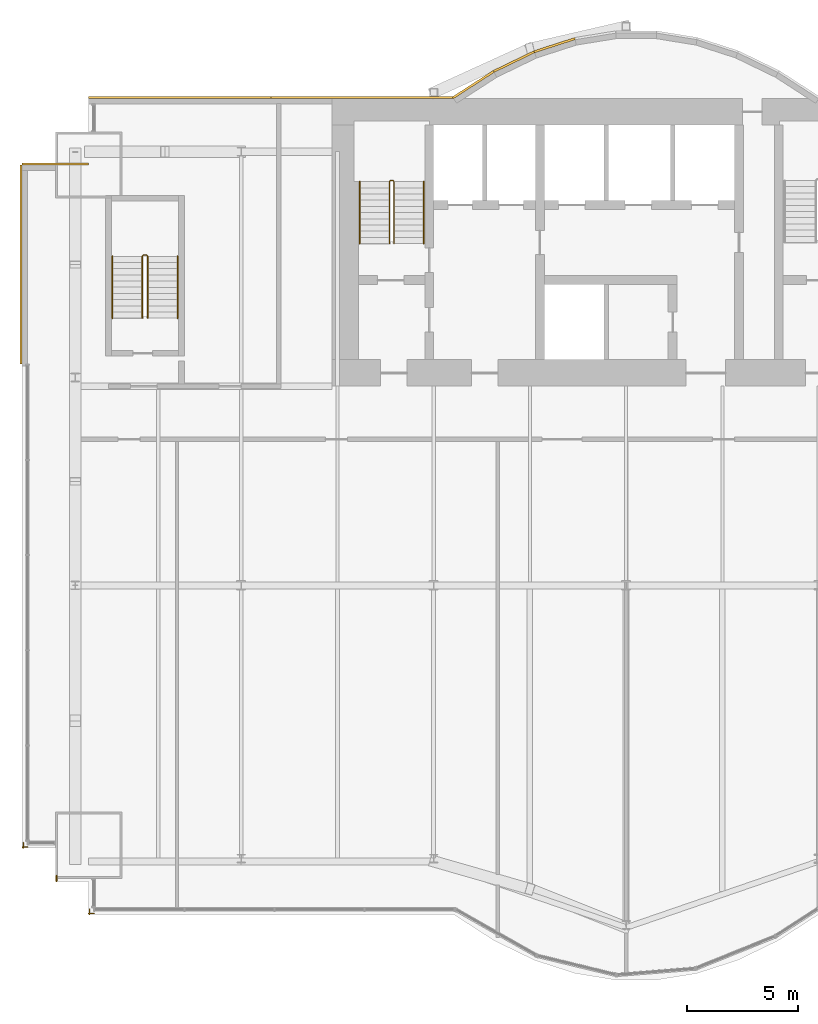
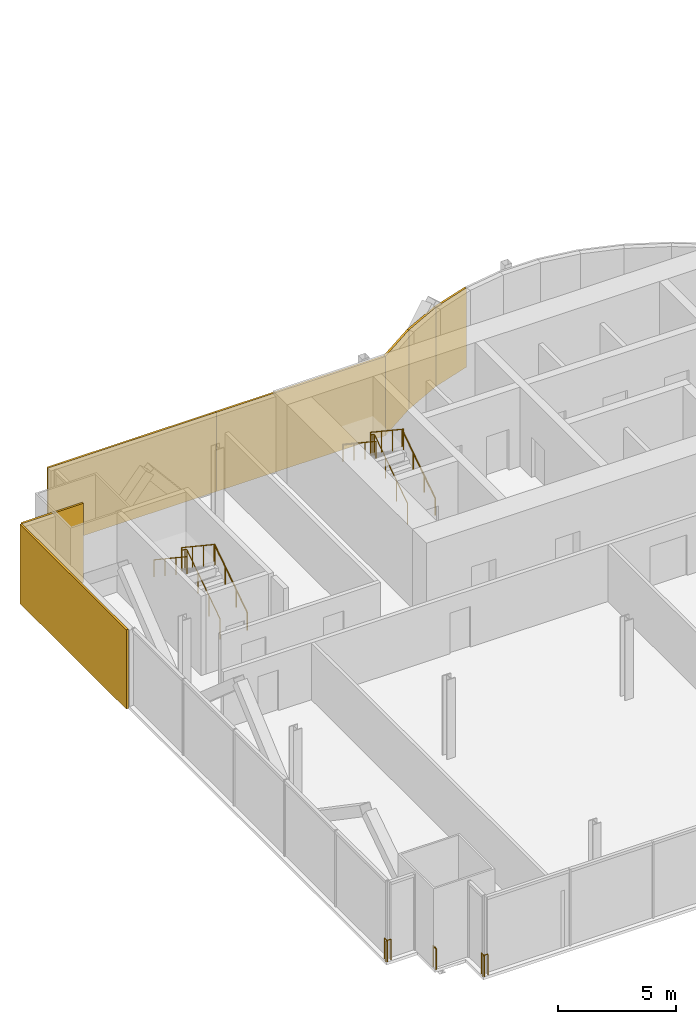
# One storey, part 19 of 21: 9 railings, 7 coverings.
"""IFC4 building model written with IfcOpenShell, lengths in metres."""

import ifcopenshell
import ifcopenshell.guid

model = None  # the IFC model being written
_history = None  # IfcOwnerHistory: only IFC2X3 demands one
_inside = {}  # id of a spatial element -> (the spatial element, [elements in it])
_under = {}  # id of a project, library or spatial element -> (it, [spatial elements below it])
_declared = {}  # id of a project -> (the project, [libraries it declares])
_typed = {}  # id of a type object -> (the type object, [elements of that type])
_made_of = {}  # id of a material, layer set ... -> (it, [elements and type objects made of it])


def new_model(schema):
    """Start an empty IFC model of exactly this schema.

    Asked for "IFC4X3", IfcOpenShell would pick the latest addendum, in which some entities
    have other attributes; the version numbers below select the first issue.
    IFC2X3 requires an IfcOwnerHistory on every rooted entity: one is made here for all.
    """
    global model, _history
    if schema == "IFC4X3":
        model = ifcopenshell.file(schema_version=(4, 3, 0, 0))
    else:
        model = ifcopenshell.file(schema=schema)
    _inside.clear()
    _under.clear()
    _declared.clear()
    _typed.clear()
    _made_of.clear()
    _history = None
    if model.schema == "IFC2X3":
        org = make("IfcOrganization", Name="unknown")
        user = make(
            "IfcPersonAndOrganization",
            ThePerson=make("IfcPerson", FamilyName="unknown"),
            TheOrganization=org,
        )
        app = make(
            "IfcApplication",
            ApplicationDeveloper=org,
            Version="unknown",
            ApplicationFullName="unknown",
            ApplicationIdentifier="unknown",
        )
        _history = make(
            "IfcOwnerHistory",
            OwningUser=user,
            OwningApplication=app,
            ChangeAction="ADDED",
            CreationDate=0,
        )
    return model


def make(cls, **values):
    """One entity of the class cls with the attributes given. An attribute that is None is left unset."""
    return model.create_entity(
        cls, **{name: value for name, value in values.items() if value is not None}
    )


def rooted(cls, **values):
    """An entity with a GlobalId (a new one), such as an element, a storey or a relation."""
    return make(cls, GlobalId=ifcopenshell.guid.new(), OwnerHistory=_history, **values)


def si_unit(unit_type, name, prefix=None):
    """IfcSIUnit, for example si_unit("LENGTHUNIT", "METRE", prefix="MILLI")."""
    return make("IfcSIUnit", UnitType=unit_type, Prefix=prefix, Name=name)


def assignment(units):
    """IfcUnitAssignment: the units of a project."""
    return None if units is None else make("IfcUnitAssignment", Units=units)


def point(xyz):
    """IfcCartesianPoint."""
    return None if xyz is None else make("IfcCartesianPoint", Coordinates=xyz)


def direction(xyz):
    """IfcDirection."""
    return None if xyz is None else make("IfcDirection", DirectionRatios=xyz)


def frame(location, z_axis=None, x_axis=None):
    """IfcAxis2Placement3D, a coordinate frame: its origin and axes. An axis left out is left unset."""
    return make(
        "IfcAxis2Placement3D",
        Location=point(location),
        Axis=direction(z_axis),
        RefDirection=direction(x_axis),
    )


def frame_2d(location, x_axis=None):
    """IfcAxis2Placement2D, a coordinate frame in the plane: its origin and x axis."""
    return make(
        "IfcAxis2Placement2D", Location=point(location), RefDirection=direction(x_axis)
    )


def origin():
    """The frame at (0, 0, 0) with its axes left unset."""
    return frame((0.0, 0.0, 0.0))


def origin_2d():
    """The frame at (0, 0) in the plane with its x axis left unset."""
    return frame_2d((0.0, 0.0))


def place(relative_to, where):
    """IfcLocalPlacement: puts the frame where relative to a parent placement (None: the world)."""
    return make(
        "IfcLocalPlacement", PlacementRelTo=relative_to, RelativePlacement=where
    )


def context(
    kind, dimensions, precision=None, world=None, true_north=None, identifier=None
):
    """IfcGeometricRepresentationContext, for example the 3D "Model" context."""
    return make(
        "IfcGeometricRepresentationContext",
        ContextIdentifier=identifier,
        ContextType=kind,
        CoordinateSpaceDimension=dimensions,
        Precision=precision,
        WorldCoordinateSystem=world,
        TrueNorth=true_north,
    )


def subcontext(parent, identifier, kind, view, scale=None):
    """IfcGeometricRepresentationSubContext, for example "Body" below "Model"."""
    return make(
        "IfcGeometricRepresentationSubContext",
        ContextIdentifier=identifier,
        ContextType=kind,
        ParentContext=parent,
        TargetScale=scale,
        TargetView=view,
    )


def project(units=None, contexts=None):
    """IfcProject with its units and contexts."""
    return rooted(
        "IfcProject",
        Name="project",
        RepresentationContexts=contexts,
        UnitsInContext=assignment(units),
    )


def spatial(cls, under=None, at=None, **own):
    """A site, building, storey or space (cls), placed at a placement, below another one or the project."""
    s = rooted(cls, ObjectPlacement=at, **own)
    if under is not None:
        _under.setdefault(under.id(), (under, []))[1].append(s)
    return s


def profile(cls, at=None, kind="AREA", **sizes):
    """A parametric profile (cls). Its sizes go by their IFC names, for example OverallWidth=200.0."""
    return make(cls, ProfileType=kind, Position=at, **sizes)


def rectangle(**sizes):
    """IfcRectangleProfileDef."""
    return profile("IfcRectangleProfileDef", **sizes)


def circle(**sizes):
    """IfcCircleProfileDef."""
    return profile("IfcCircleProfileDef", **sizes)


def extrude(swept, where, along, depth):
    """IfcExtrudedAreaSolid: the profile swept, set in the frame where, extruded along a direction by depth."""
    return make(
        "IfcExtrudedAreaSolid",
        SweptArea=swept,
        Position=where,
        ExtrudedDirection=direction(along),
        Depth=depth,
    )


def shape(context_of_items, identifier, shape_type, items):
    """IfcShapeRepresentation: the items that make up one representation, for example the "Body"."""
    return make(
        "IfcShapeRepresentation",
        ContextOfItems=context_of_items,
        RepresentationIdentifier=identifier,
        RepresentationType=shape_type,
        Items=items,
    )


def material(Name=None, Category=None):
    """IfcMaterial."""
    return make("IfcMaterial", Name=Name, Category=Category)


def layer(
    of_material, thickness, ventilated=None, Name=None, Category=None, Priority=None
):
    """IfcMaterialLayer: one layer of a wall or slab, of a material (None: an air gap)."""
    return make(
        "IfcMaterialLayer",
        Material=of_material,
        LayerThickness=thickness,
        IsVentilated=ventilated,
        Name=Name,
        Category=Category,
        Priority=Priority,
    )


def layer_set(layers, Name=None):
    """IfcMaterialLayerSet."""
    return make("IfcMaterialLayerSet", MaterialLayers=layers, LayerSetName=Name)


def made_of(thing, what):
    """Note that an element or type object is made of a material, layer set ...; save() writes the relation."""
    if what is not None:
        _made_of.setdefault(what.id(), (what, []))[1].append(thing)
    return thing


def type_object(cls, material=None, **own):
    """A type object (cls), such as IfcWallType, which elements share."""
    return made_of(rooted(cls, **own), material)


def element(
    cls,
    number,
    at=None,
    inside=None,
    cuts=None,
    type_object=None,
    material=None,
    context=None,
    identifier="Body",
    shape_type=None,
    held_by="IfcProductDefinitionShape",
    body=None,
    shapes=None,
    **own,
):
    """One element of the class cls, such as IfcWall. Its Tag is "e" and its number.

    at: its placement. inside: the storey or other place that contains it. cuts: it is an
    opening in that element (IfcRelVoidsElement). A single representation is given by context,
    identifier, shape_type and body (its items); several are given by shapes. held_by: the class
    of the entity that holds the representations. save() writes the other relations.
    """
    e = rooted(cls, Tag="e%d" % number, ObjectPlacement=at, **own)
    if body is not None:
        shapes = [shape(context, identifier, shape_type, body)]
    if shapes is not None:
        e.Representation = make(held_by, Representations=shapes)
    if inside is not None:
        _inside.setdefault(inside.id(), (inside, []))[1].append(e)
    if cuts is not None:
        rooted(
            "IfcRelVoidsElement", RelatingBuildingElement=cuts, RelatedOpeningElement=e
        )
    if type_object is not None:
        _typed.setdefault(type_object.id(), (type_object, []))[1].append(e)
    return made_of(e, material)


def aggregate(whole, parts):
    """IfcRelAggregates: a whole, such as a stair, and the parts it consists of."""
    return rooted("IfcRelAggregates", RelatingObject=whole, RelatedObjects=parts)


def save(model, path):
    """Write the relations noted so far, then the file.

    IfcRelAggregates (storeys below a building ...), IfcRelContainedInSpatialStructure (elements
    in a storey), IfcRelDefinesByType, IfcRelAssociatesMaterial and IfcRelDeclares: one each for
    every whole, place, type object, material and project.
    """
    for whole, parts in _under.values():
        aggregate(whole, parts)
    for where, things in _inside.values():
        rooted(
            "IfcRelContainedInSpatialStructure",
            RelatedElements=things,
            RelatingStructure=where,
        )
    for kind, things in _typed.values():
        rooted("IfcRelDefinesByType", RelatedObjects=things, RelatingType=kind)
    for what, things in _made_of.values():
        rooted("IfcRelAssociatesMaterial", RelatedObjects=things, RelatingMaterial=what)
    for by, libraries in _declared.values():
        rooted("IfcRelDeclares", RelatingContext=by, RelatedDefinitions=libraries)
    model.write(path)


model = new_model("IFC4")

# Units and contexts
model_context = context("Model", 3, precision=1e-05, world=origin(), true_north=direction((0.0, 1.0)))
body_context = subcontext(model_context, "Body", "Model", "MODEL_VIEW")
ifc_project = project(units=[si_unit("LENGTHUNIT", "METRE"), si_unit("AREAUNIT", "SQUARE_METRE"), si_unit("VOLUMEUNIT", "CUBIC_METRE"), si_unit("PLANEANGLEUNIT", "RADIAN"), si_unit("MASSUNIT", "GRAM", prefix="KILO")], contexts=[model_context])

# Site, building, storey
site_placement = place(None, origin())
site = spatial("IfcSite", under=ifc_project, at=site_placement, CompositionType="ELEMENT")
building_placement = place(site_placement, origin())
building = spatial("IfcBuilding", under=site, at=building_placement, Name="Bicima Exchange Tower", CompositionType="ELEMENT")
storey_placement = place(building_placement, frame((0.0, 0.0, 126.800048828125)))
storey = spatial("IfcBuildingStorey", under=building, at=storey_placement, Name="L27", CompositionType="ELEMENT", Elevation=126.800048828125)

# Coverings
ifc_material_1 = material(Name="Bronze metal cladding")
ifc_layer_1 = layer(ifc_material_1, 0.004)
ifc_material_2 = material(Name="Ventilated cavity")
ifc_layer_2 = layer(ifc_material_2, 0.06)
ifc_material_3 = material(Name="Galvanised steel rail and mineral wool", Category="steel")
ifc_layer_3 = layer(ifc_material_3, 0.036)
ifc_layer_set = layer_set([ifc_layer_1, ifc_layer_2, ifc_layer_3], Name="Ventilated cavity")
covering_type = type_object("IfcCoveringType", Name="Bronze metal cladding panel 100", PredefinedType="CLADDING", material=ifc_layer_set)
covering_1_placement = place(storey_placement, frame((-11.931884765625, 2.41796875, -0.150146484375), z_axis=(0.0, 0.0, 1.0), x_axis=(-0.951524642381, -0.307572519808, 0.0)))
element("IfcCovering", 1, at=covering_1_placement, inside=storey, type_object=covering_type, Name="Bronze cladding L27 17.1", PredefinedType="CLADDING", context=body_context, shape_type="SweptSolid", body=[
    extrude(rectangle(XDim=1.9267578125, YDim=0.10009765625, at=origin_2d()), origin(), (0.0, 0.0, 1.0), 4.10009765625),
])
covering_2_placement = place(storey_placement, frame((-13.771728515625, 1.674560546875, -0.150146484375), z_axis=(0.0, 0.0, 1.0), x_axis=(-0.899818346812, -0.436264762204, 0.0)))
element("IfcCovering", 2, at=covering_2_placement, inside=storey, type_object=covering_type, Name="Bronze cladding L27 18.1", PredefinedType="CLADDING", context=body_context, shape_type="SweptSolid", body=[
    extrude(rectangle(XDim=2.03759765625, YDim=0.10009765625, at=origin_2d()), origin(), (0.0, 0.0, 1.0), 4.10009765625),
])
covering_3_placement = place(storey_placement, frame((-15.610595703125, 0.634521484375, -0.150146484375), z_axis=(0.0, 0.0, 1.0), x_axis=(-0.839790466384, -0.542910648791, 0.0)))
element("IfcCovering", 3, at=covering_3_placement, inside=storey, type_object=covering_type, Name="Bronze cladding L27 19.1", PredefinedType="CLADDING", context=body_context, shape_type="SweptSolid", body=[
    extrude(rectangle(XDim=2.18310546875, YDim=0.10009765625, at=origin_2d()), origin(), (0.0, 0.0, 1.0), 4.10009765625),
])
for number, where, z_axis, x_axis, name in (
    (4, (-20.625, 0.050048828125, -0.150146484375), (0.0, 0.0, 1.0), (-1.0, 0.0, 0.0), "Bronze cladding L27 20.1"),
    (5, (-28.875, 0.050048828125, -0.150146484375), (0.0, 0.0, 1.0), (-1.0, 0.0, 0.0), "Bronze cladding L27 20.2"),
):
    element("IfcCovering", number, at=place(storey_placement, frame(where, z_axis=z_axis, x_axis=x_axis)), inside=storey, type_object=covering_type, Name=name, PredefinedType="CLADDING", context=body_context, shape_type="SweptSolid", body=[
        extrude(rectangle(XDim=8.25, YDim=0.10009765625, at=origin_2d()), origin(), (0.0, 0.0, 1.0), 4.10009765625),
    ])
covering_4_placement = place(storey_placement, frame((-34.5, -2.949951171875, -0.150146484375), z_axis=(0.0, 0.0, 1.0), x_axis=(-1.0, 0.0, 0.0)))
element("IfcCovering", 6, at=covering_4_placement, inside=storey, type_object=covering_type, Name="Bronze cladding L27 22.1", PredefinedType="CLADDING", context=body_context, shape_type="SweptSolid", body=[
    extrude(rectangle(XDim=3.0, YDim=0.10009765625, at=origin_2d()), origin(), (0.0, 0.0, 1.0), 4.10009765625),
])
covering_5_placement = place(storey_placement, frame((-36.050048828125, -7.5, -0.150146484375), z_axis=(0.0, 0.0, 1.0), x_axis=(0.0, -1.0, 0.0)))
element("IfcCovering", 7, at=covering_5_placement, inside=storey, type_object=covering_type, Name="Bronze cladding L27 23.1", PredefinedType="CLADDING", context=body_context, shape_type="SweptSolid", body=[
    extrude(rectangle(XDim=9.0, YDim=0.10009765625, at=origin_2d()), origin(), (0.0, 0.0, 1.0), 4.10009765625),
])

# Railings
ifc_material_4 = material(Name="Stainless steel and bonded safety glass", Category="steel")
railing_type_1 = type_object("IfcRailingType", Name="Edge guard 1100", PredefinedType="GUARDRAIL", material=ifc_material_4)
railing_1_placement = place(storey_placement, frame((-35.75, -33.825927734375, 0.0)))
element("IfcRailing", 8, at=railing_1_placement, inside=storey, type_object=railing_type_1, Name="Edge guard L27 133", PredefinedType="GUARDRAIL", context=body_context, shape_type="SweptSolid", body=[
    extrude(circle(Radius=0.02392578125, at=origin_2d()), frame((0.0, 0.0, 1.076171875), z_axis=(-1.0, 0.0, 0.0), x_axis=(0.0, -1.0, 0.0)), (0.0, 0.0, 1.0), 0.25),
    extrude(circle(Radius=0.02392578125, at=origin_2d()), frame((-0.25, 0.0, 1.076171875), z_axis=(0.707106781187, -0.707106781187, 0.0), x_axis=(0.707106781187, 0.707106781187, 0.0)), (0.0, 0.0, 1.0), 0.07080078125),
    extrude(circle(Radius=0.02392578125, at=origin_2d()), frame((-0.199951171875, -0.050048828125, 1.076171875), z_axis=(0.0, 1.0, 0.0), x_axis=(-1.0, 0.0, 0.0)), (0.0, 0.0, 1.0), 0.2490234375),
    extrude(circle(Radius=0.02099609375, at=origin_2d()), origin(), (0.0, 0.0, 1.0), 1.052001953125),
    extrude(circle(Radius=0.02099609375, at=origin_2d()), frame((-0.25, 0.0, 0.0)), (0.0, 0.0, 1.0), 1.052001953125),
    extrude(circle(Radius=0.02099609375, at=origin_2d()), frame((-0.199951171875, -0.050048828125, 0.0)), (0.0, 0.0, 1.0), 1.052001953125),
    extrude(circle(Radius=0.02099609375, at=origin_2d()), frame((-0.199951171875, 0.198974609375, 0.0)), (0.0, 0.0, 1.0), 1.052001953125),
])
railing_2_placement = place(storey_placement, frame((-32.75, -36.825927734375, 0.0)))
element("IfcRailing", 9, at=railing_2_placement, inside=storey, type_object=railing_type_1, Name="Edge guard L27 137", PredefinedType="GUARDRAIL", context=body_context, shape_type="SweptSolid", body=[
    extrude(circle(Radius=0.02392578125, at=origin_2d()), frame((0.0, 0.0, 1.076171875), z_axis=(-1.0, 0.0, 0.0), x_axis=(0.0, -1.0, 0.0)), (0.0, 0.0, 1.0), 0.25),
    extrude(circle(Radius=0.02392578125, at=origin_2d()), frame((-0.25, 0.0, 1.076171875), z_axis=(0.707106781187, -0.707106781187, 0.0), x_axis=(0.707106781187, 0.707106781187, 0.0)), (0.0, 0.0, 1.0), 0.07080078125),
    extrude(circle(Radius=0.02392578125, at=origin_2d()), frame((-0.199951171875, -0.050048828125, 1.076171875), z_axis=(0.0, 1.0, 0.0), x_axis=(-1.0, 0.0, 0.0)), (0.0, 0.0, 1.0), 0.25),
    extrude(circle(Radius=0.02099609375, at=origin_2d()), origin(), (0.0, 0.0, 1.0), 1.052001953125),
    extrude(circle(Radius=0.02099609375, at=origin_2d()), frame((-0.25, 0.0, 0.0)), (0.0, 0.0, 1.0), 1.052001953125),
    extrude(circle(Radius=0.02099609375, at=origin_2d()), frame((-0.199951171875, -0.050048828125, 0.0)), (0.0, 0.0, 1.0), 1.052001953125),
    extrude(circle(Radius=0.02099609375, at=origin_2d()), frame((-0.199951171875, 0.199951171875, 0.0)), (0.0, 0.0, 1.0), 1.052001953125),
])
railing_3_placement = place(storey_placement, frame((-34.449951171875, -35.3759765625, 0.0)))
element("IfcRailing", 10, at=railing_3_placement, inside=storey, type_object=railing_type_1, Name="Edge guard L27 138", PredefinedType="GUARDRAIL", context=body_context, shape_type="SweptSolid", body=[
    extrude(circle(Radius=0.02392578125, at=origin_2d()), frame((0.0, 0.0, 1.076171875), z_axis=(0.0, 1.0, 0.0), x_axis=(-1.0, 0.0, 0.0)), (0.0, 0.0, 1.0), 0.25),
    extrude(circle(Radius=0.02099609375, at=origin_2d()), origin(), (0.0, 0.0, 1.0), 1.052001953125),
    extrude(circle(Radius=0.02099609375, at=origin_2d()), frame((0.0, 0.25, 0.0)), (0.0, 0.0, 1.0), 1.052001953125),
])
ifc_material_5 = material(Name="Stainless steel", Category="steel")
railing_type_2 = type_object("IfcRailingType", Name="Stair guard 1100", PredefinedType="GUARDRAIL", material=ifc_material_5)
railing_4_placement = place(storey_placement, frame((-19.199951171875, -6.550048828125, 0.186279296875)))
element("IfcRailing", 11, at=railing_4_placement, inside=storey, type_object=railing_type_2, Name="L27 ST-W stair guard 1", PredefinedType="GUARDRAIL", context=body_context, shape_type="SweptSolid", body=[
    extrude(circle(Radius=0.02392578125, at=origin_2d()), frame((0.0, 0.0, 1.076171875), z_axis=(0.0, 0.832452072856, 0.554097055034), x_axis=(-1.0, 0.0, 0.0)), (0.0, 0.0, 1.0), 3.363525390625),
    extrude(circle(Radius=0.02392578125, at=origin_2d()), frame((0.0, 2.800048828125, 2.93994140625), z_axis=(-0.707106781187, 0.707106781187, 0.0), x_axis=(-0.707106781187, -0.707106781187, 0.0)), (0.0, 0.0, 1.0), 0.07080078125),
    extrude(circle(Radius=0.02392578125, at=origin_2d()), frame((-0.050048828125, 2.85009765625, 2.93994140625), z_axis=(-1.0, 0.0, 0.0), x_axis=(0.0, -1.0, 0.0)), (0.0, 0.0, 1.0), 0.10009765625),
    extrude(circle(Radius=0.02392578125, at=origin_2d()), frame((-0.150146484375, 2.85009765625, 2.93994140625), z_axis=(-0.250008635948, -0.251234168477, 0.935081319748), x_axis=(0.708833529934, -0.705375805398, 0.0)), (0.0, 0.0, 1.0), 0.19921875),
    extrude(circle(Radius=0.02392578125, at=origin_2d()), frame((-0.199951171875, 2.800048828125, 3.1259765625), z_axis=(0.0, -0.832485552168, 0.554046753832), x_axis=(1.0, 0.0, 0.0)), (0.0, 0.0, 1.0), 3.363525390625),
    extrude(circle(Radius=0.02099609375, at=origin_2d()), origin(), (0.0, 0.0, 1.0), 1.052001953125),
    extrude(circle(Radius=0.02099609375, at=origin_2d()), frame((0.0, 0.933349609375, 0.621337890625)), (0.0, 0.0, 1.0), 1.052001953125),
    extrude(circle(Radius=0.02099609375, at=origin_2d()), frame((0.0, 1.86669921875, 1.242431640625)), (0.0, 0.0, 1.0), 1.052001953125),
    extrude(circle(Radius=0.02099609375, at=origin_2d()), frame((0.0, 2.800048828125, 1.86376953125)), (0.0, 0.0, 1.0), 1.052001953125),
    extrude(circle(Radius=0.02099609375, at=origin_2d()), frame((-0.050048828125, 2.85009765625, 1.86376953125)), (0.0, 0.0, 1.0), 1.052001953125),
    extrude(circle(Radius=0.02099609375, at=origin_2d()), frame((-0.150146484375, 2.85009765625, 1.86376953125)), (0.0, 0.0, 1.0), 1.052001953125),
    extrude(circle(Radius=0.02099609375, at=origin_2d()), frame((-0.199951171875, 2.800048828125, 2.050048828125)), (0.0, 0.0, 1.0), 1.052001953125),
    extrude(circle(Radius=0.02099609375, at=origin_2d()), frame((-0.199951171875, 1.86669921875, 2.671142578125)), (0.0, 0.0, 1.0), 1.052001953125),
    extrude(circle(Radius=0.02099609375, at=origin_2d()), frame((-0.199951171875, 0.933349609375, 3.29248046875)), (0.0, 0.0, 1.0), 1.052001953125),
    extrude(circle(Radius=0.02099609375, at=origin_2d()), frame((-0.199951171875, 0.0, 3.91357421875)), (0.0, 0.0, 1.0), 1.052001953125),
])
railing_5_placement = place(storey_placement, frame((-30.324951171875, -9.925048828125, 0.186279296875)))
element("IfcRailing", 12, at=railing_5_placement, inside=storey, type_object=railing_type_2, Name="L27 ST-WW stair guard 1", PredefinedType="GUARDRAIL", context=body_context, shape_type="SweptSolid", body=[
    extrude(circle(Radius=0.02392578125, at=origin_2d()), frame((0.0, 0.0, 1.076171875), z_axis=(0.0, 0.832452072856, 0.554097055034), x_axis=(-1.0, 0.0, 0.0)), (0.0, 0.0, 1.0), 3.363525390625),
    extrude(circle(Radius=0.02392578125, at=origin_2d()), frame((0.0, 2.800048828125, 2.93994140625), z_axis=(-0.707106781187, 0.707106781187, 0.0), x_axis=(-0.707106781187, -0.707106781187, 0.0)), (0.0, 0.0, 1.0), 0.07080078125),
    extrude(circle(Radius=0.02392578125, at=origin_2d()), frame((-0.050048828125, 2.85009765625, 2.93994140625), z_axis=(-1.0, 0.0, 0.0), x_axis=(0.0, -1.0, 0.0)), (0.0, 0.0, 1.0), 0.14990234375),
    extrude(circle(Radius=0.02392578125, at=origin_2d()), frame((-0.199951171875, 2.85009765625, 2.93994140625), z_axis=(-0.251157038772, -0.251157038772, 0.934794246747), x_axis=(0.707106781187, -0.707106781187, 0.0)), (0.0, 0.0, 1.0), 0.19921875),
    extrude(circle(Radius=0.02392578125, at=origin_2d()), frame((-0.25, 2.800048828125, 3.1259765625), z_axis=(0.0, -0.832485552168, 0.554046753832), x_axis=(1.0, 0.0, 0.0)), (0.0, 0.0, 1.0), 3.363525390625),
    extrude(circle(Radius=0.02099609375, at=origin_2d()), origin(), (0.0, 0.0, 1.0), 1.052001953125),
    extrude(circle(Radius=0.02099609375, at=origin_2d()), frame((0.0, 0.933349609375, 0.621337890625)), (0.0, 0.0, 1.0), 1.052001953125),
    extrude(circle(Radius=0.02099609375, at=origin_2d()), frame((0.0, 1.86669921875, 1.242431640625)), (0.0, 0.0, 1.0), 1.052001953125),
    extrude(circle(Radius=0.02099609375, at=origin_2d()), frame((0.0, 2.800048828125, 1.86376953125)), (0.0, 0.0, 1.0), 1.052001953125),
    extrude(circle(Radius=0.02099609375, at=origin_2d()), frame((-0.050048828125, 2.85009765625, 1.86376953125)), (0.0, 0.0, 1.0), 1.052001953125),
    extrude(circle(Radius=0.02099609375, at=origin_2d()), frame((-0.199951171875, 2.85009765625, 1.86376953125)), (0.0, 0.0, 1.0), 1.052001953125),
    extrude(circle(Radius=0.02099609375, at=origin_2d()), frame((-0.25, 2.800048828125, 2.050048828125)), (0.0, 0.0, 1.0), 1.052001953125),
    extrude(circle(Radius=0.02099609375, at=origin_2d()), frame((-0.25, 1.86669921875, 2.671142578125)), (0.0, 0.0, 1.0), 1.052001953125),
    extrude(circle(Radius=0.02099609375, at=origin_2d()), frame((-0.25, 0.933349609375, 3.29248046875)), (0.0, 0.0, 1.0), 1.052001953125),
    extrude(circle(Radius=0.02099609375, at=origin_2d()), frame((-0.25, 0.0, 3.91357421875)), (0.0, 0.0, 1.0), 1.052001953125),
])
railing_type_3 = type_object("IfcRailingType", Name="Stair handrail 900", PredefinedType="HANDRAIL", material=ifc_material_5)
railing_6_placement = place(storey_placement, frame((-17.85009765625, -6.550048828125, 0.186279296875)))
element("IfcRailing", 13, at=railing_6_placement, inside=storey, type_object=railing_type_3, Name="L27 ST-W stair handrail 1", PredefinedType="HANDRAIL", context=body_context, shape_type="SweptSolid", body=[
    extrude(circle(Radius=0.02392578125, at=origin_2d()), frame((0.0, 0.0, 0.8759765625), z_axis=(0.0, 0.832452072856, 0.554097055034), x_axis=(-1.0, 0.0, 0.0)), (0.0, 0.0, 1.0), 3.363525390625),
    extrude(circle(Radius=0.02099609375, at=origin_2d()), origin(), (0.0, 0.0, 1.0), 0.851806640625),
    extrude(circle(Radius=0.02099609375, at=origin_2d()), frame((0.0, 0.933349609375, 0.621337890625)), (0.0, 0.0, 1.0), 0.851806640625),
    extrude(circle(Radius=0.02099609375, at=origin_2d()), frame((0.0, 1.86669921875, 1.242431640625)), (0.0, 0.0, 1.0), 0.851806640625),
    extrude(circle(Radius=0.02099609375, at=origin_2d()), frame((0.0, 2.800048828125, 1.86376953125)), (0.0, 0.0, 1.0), 0.851806640625),
])
railing_7_placement = place(storey_placement, frame((-20.75, -3.75, 2.276611328125)))
element("IfcRailing", 14, at=railing_7_placement, inside=storey, type_object=railing_type_3, Name="L27 ST-W stair handrail 2", PredefinedType="HANDRAIL", context=body_context, shape_type="SweptSolid", body=[
    extrude(circle(Radius=0.02392578125, at=origin_2d()), frame((0.0, 0.0, 0.8759765625), z_axis=(0.0, -0.832452072856, 0.554097055034), x_axis=(1.0, 0.0, 0.0)), (0.0, 0.0, 1.0), 3.363525390625),
    extrude(circle(Radius=0.02099609375, at=origin_2d()), origin(), (0.0, 0.0, 1.0), 0.851806640625),
    extrude(circle(Radius=0.02099609375, at=origin_2d()), frame((0.0, -0.933349609375, 0.621337890625)), (0.0, 0.0, 1.0), 0.851806640625),
    extrude(circle(Radius=0.02099609375, at=origin_2d()), frame((0.0, -1.86669921875, 1.242431640625)), (0.0, 0.0, 1.0), 0.851806640625),
    extrude(circle(Radius=0.02099609375, at=origin_2d()), frame((0.0, -2.800048828125, 1.86376953125)), (0.0, 0.0, 1.0), 0.851806640625),
])
railing_8_placement = place(storey_placement, frame((-28.97509765625, -9.925048828125, 0.186279296875)))
element("IfcRailing", 15, at=railing_8_placement, inside=storey, type_object=railing_type_3, Name="L27 ST-WW stair handrail 1", PredefinedType="HANDRAIL", context=body_context, shape_type="SweptSolid", body=[
    extrude(circle(Radius=0.02392578125, at=origin_2d()), frame((0.0, 0.0, 0.8759765625), z_axis=(0.0, 0.832452072856, 0.554097055034), x_axis=(-1.0, 0.0, 0.0)), (0.0, 0.0, 1.0), 3.363525390625),
    extrude(circle(Radius=0.02099609375, at=origin_2d()), origin(), (0.0, 0.0, 1.0), 0.851806640625),
    extrude(circle(Radius=0.02099609375, at=origin_2d()), frame((0.0, 0.933349609375, 0.621337890625)), (0.0, 0.0, 1.0), 0.851806640625),
    extrude(circle(Radius=0.02099609375, at=origin_2d()), frame((0.0, 1.86669921875, 1.242431640625)), (0.0, 0.0, 1.0), 0.851806640625),
    extrude(circle(Radius=0.02099609375, at=origin_2d()), frame((0.0, 2.800048828125, 1.86376953125)), (0.0, 0.0, 1.0), 0.851806640625),
])
railing_9_placement = place(storey_placement, frame((-31.925048828125, -7.125, 2.276611328125)))
element("IfcRailing", 16, at=railing_9_placement, inside=storey, type_object=railing_type_3, Name="L27 ST-WW stair handrail 2", PredefinedType="HANDRAIL", context=body_context, shape_type="SweptSolid", body=[
    extrude(circle(Radius=0.02392578125, at=origin_2d()), frame((0.0, 0.0, 0.8759765625), z_axis=(0.0, -0.832452072856, 0.554097055034), x_axis=(1.0, 0.0, 0.0)), (0.0, 0.0, 1.0), 3.363525390625),
    extrude(circle(Radius=0.02099609375, at=origin_2d()), origin(), (0.0, 0.0, 1.0), 0.851806640625),
    extrude(circle(Radius=0.02099609375, at=origin_2d()), frame((0.0, -0.933349609375, 0.621337890625)), (0.0, 0.0, 1.0), 0.851806640625),
    extrude(circle(Radius=0.02099609375, at=origin_2d()), frame((0.0, -1.86669921875, 1.242431640625)), (0.0, 0.0, 1.0), 0.851806640625),
    extrude(circle(Radius=0.02099609375, at=origin_2d()), frame((0.0, -2.800048828125, 1.86376953125)), (0.0, 0.0, 1.0), 0.851806640625),
])

save(model, "model.ifc")
